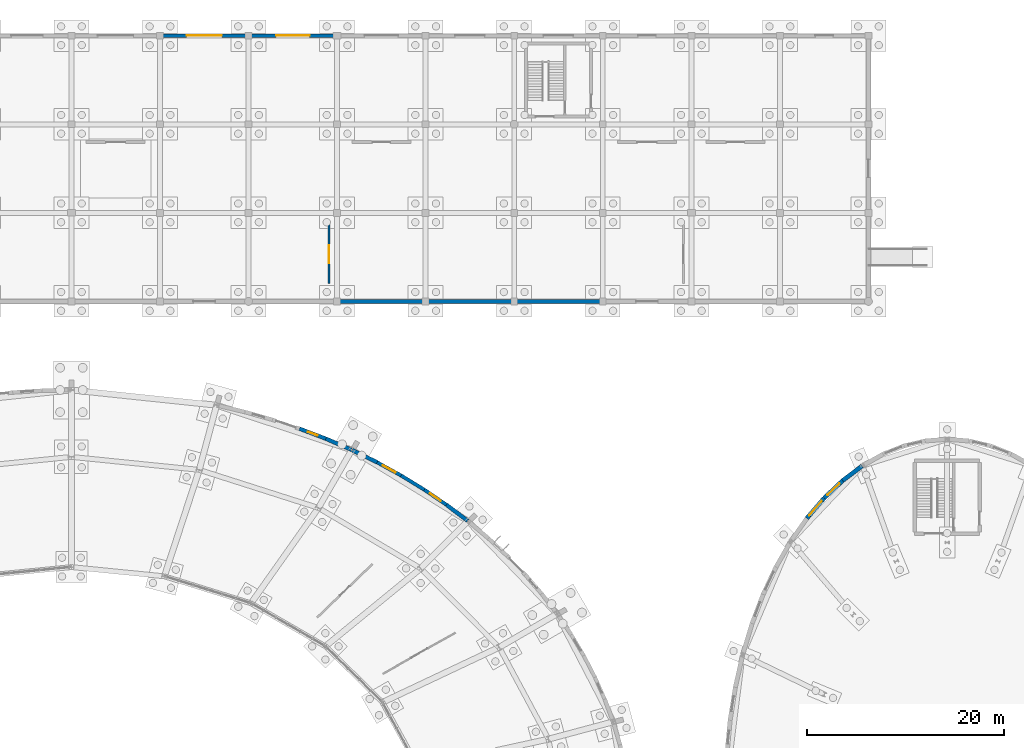
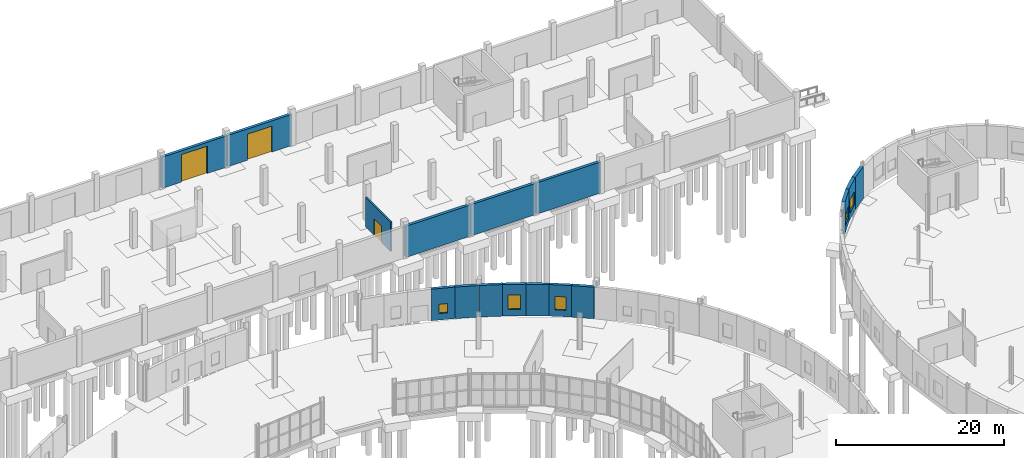
# One storey, part 99 of 118: 16 walls, 5 windows, 3 doors, 8 openings.
"""IFC4 building model written with IfcOpenShell, lengths in metres."""

from ifc_helpers import new_model, si_unit, direction, frame, frame_2d, origin, place, context, subcontext, project, spatial, rectangle, extrude, material, layer, layer_set, type_object, element, fill, save


model = new_model("IFC4")

# Units and contexts
model_context = context("Model", 3, precision=1e-05, world=origin(), true_north=direction((0.0, 1.0)))
body_context = subcontext(model_context, "Body", "Model", "MODEL_VIEW")
ifc_project = project(units=[si_unit("LENGTHUNIT", "METRE"), si_unit("AREAUNIT", "SQUARE_METRE"), si_unit("VOLUMEUNIT", "CUBIC_METRE"), si_unit("PLANEANGLEUNIT", "RADIAN"), si_unit("MASSUNIT", "GRAM", prefix="KILO")], contexts=[model_context])

# Site, building, storey
site_placement = place(None, origin())
site = spatial("IfcSite", under=ifc_project, at=site_placement, CompositionType="ELEMENT")
building_placement = place(site_placement, origin())
building = spatial("IfcBuilding", under=site, at=building_placement, Name="Kildeholm Park Wholesale Market", CompositionType="ELEMENT")
storey_placement = place(building_placement, origin())
storey = spatial("IfcBuildingStorey", under=building, at=storey_placement, Name="L00", CompositionType="ELEMENT", Elevation=0.0)

# Wall, opening, door
ifc_material_1 = material(Name="Precast concrete C40/50 insulated cold-store envelope wall", Category="concrete")
ifc_layer_1 = layer(ifc_material_1, 0.3798828125)
ifc_layer_set_1 = layer_set([ifc_layer_1], Name="Precast concrete C40/50 insulated cold-store envelope wall")
wall_type_1 = type_object("IfcWallType", Name="Exterior wall W-CS1 380 mm", PredefinedType="SOLIDWALL", material=ifc_layer_set_1)
wall_1_placement = place(storey_placement, frame((108.06005859375, 171.0, 0.0), z_axis=(0.0, 0.0, 1.0), x_axis=(1.0, 0.0, 0.0)))
wall_1 = element("IfcWall", 1, at=wall_1_placement, inside=storey, type_object=wall_type_1, Name="Exterior wall V4N-L00.13 WL-0329", PredefinedType="SOLIDWALL", context=body_context, shape_type="SweptSolid", body=[
    extrude(rectangle(XDim=8.8798828125, YDim=0.3798828125, at=frame_2d((4.43994140625, 0.0))), origin(), (0.0, 0.0, 1.0), 4.550048828125),
])
opening_1_placement = place(wall_1_placement, frame((2.639892578125, 0.0, 0.0)))
opening_1 = element("IfcOpeningElement", 2, at=opening_1_placement, cuts=wall_1, Name="Opening G-DK02", PredefinedType="OPENING", context=body_context, shape_type="SweptSolid", body=[
    extrude(rectangle(XDim=3.60009765625, YDim=4.0, at=frame_2d((1.800048828125, 2.0))), frame((0.0, 0.199951171875, 0.0), z_axis=(0.0, -1.0, 0.0), x_axis=(1.0, 0.0, 0.0)), (0.0, 0.0, 1.0), 0.39990234375),
])
ifc_material_2 = material(Name="Insulated galvanized steel HGV dock roller shutter", Category="steel")
door_type_1 = type_object("IfcDoorType", Name="Exterior gate G-DK02 3600x4000", OperationType="NOTDEFINED", PredefinedType="GATE", material=ifc_material_2)
door_1_placement = place(opening_1_placement, origin())
door_1 = element("IfcDoor", 3, at=door_1_placement, inside=storey, type_object=door_type_1, Name="Door V4N-L00.13 DR-0028 WL-0329", OperationType="ROLLINGUP", OverallHeight=4.0, OverallWidth=3.60009765625, PredefinedType="GATE", context=body_context, shape_type="SweptSolid", body=[
    extrude(rectangle(XDim=3.60009765625, YDim=4.0, at=frame_2d((1.800048828125, 2.0))), frame((0.0, 0.02490234375, 0.0), z_axis=(0.0, -1.0, 0.0), x_axis=(1.0, 0.0, 0.0)), (0.0, 0.0, 1.0), 0.050048828125),
])
fill(opening_1, door_1)

wall_2_placement = place(storey_placement, frame((117.06005859375, 171.0, 0.0), z_axis=(0.0, 0.0, 1.0), x_axis=(1.0, 0.0, 0.0)))
wall_2 = element("IfcWall", 4, at=wall_2_placement, inside=storey, type_object=wall_type_1, Name="Exterior wall V4N-L00.14 WL-0330", PredefinedType="SOLIDWALL", context=body_context, shape_type="SweptSolid", body=[
    extrude(rectangle(XDim=8.8798828125, YDim=0.3798828125, at=frame_2d((4.43994140625, 0.0))), origin(), (0.0, 0.0, 1.0), 4.550048828125),
])
opening_2_placement = place(wall_2_placement, frame((2.739990234375, 0.0, 0.0)))
opening_2 = element("IfcOpeningElement", 5, at=opening_2_placement, cuts=wall_2, Name="Opening G-DK01", PredefinedType="OPENING", context=body_context, shape_type="SweptSolid", body=[
    extrude(rectangle(XDim=3.39990234375, YDim=3.800048828125, at=frame_2d((1.699951171875, 1.89990234375))), frame((0.0, 0.199951171875, 0.0), z_axis=(0.0, -1.0, 0.0), x_axis=(1.0, 0.0, 0.0)), (0.0, 0.0, 1.0), 0.39990234375),
])
ifc_material_3 = material(Name="Insulated galvanized steel sectional dock shutter", Category="steel")
door_type_2 = type_object("IfcDoorType", Name="Exterior gate G-DK01 3400x3800", OperationType="NOTDEFINED", PredefinedType="GATE", material=ifc_material_3)
door_2_placement = place(opening_2_placement, origin())
door_2 = element("IfcDoor", 6, at=door_2_placement, inside=storey, type_object=door_type_2, Name="Door V4N-L00.14 DR-0029 WL-0330", OperationType="ROLLINGUP", OverallHeight=3.800048828125, OverallWidth=3.39990234375, PredefinedType="GATE", context=body_context, shape_type="SweptSolid", body=[
    extrude(rectangle(XDim=3.39990234375, YDim=3.800048828125, at=frame_2d((1.699951171875, 1.89990234375))), frame((0.0, 0.02490234375, 0.0), z_axis=(0.0, -1.0, 0.0), x_axis=(1.0, 0.0, 0.0)), (0.0, 0.0, 1.0), 0.050048828125),
])
fill(opening_2, door_2)

# Walls
for number, where, z_axis, x_axis, name in (
    (7, (126.06005859375, 144.0, 0.0), (0.0, 0.0, 1.0), (1.0, 0.0, 0.0), "Exterior wall V4S-L00.11 WL-0447"),
    (8, (135.06005859375, 144.0, 0.0), (0.0, 0.0, 1.0), (1.0, 0.0, 0.0), "Exterior wall V4S-L00.12 WL-0448"),
    (9, (144.06005859375, 144.0, 0.0), (0.0, 0.0, 1.0), (1.0, 0.0, 0.0), "Exterior wall V4S-L00.13 WL-0449"),
):
    element("IfcWall", number, at=place(storey_placement, frame(where, z_axis=z_axis, x_axis=x_axis)), inside=storey, type_object=wall_type_1, Name=name, PredefinedType="SOLIDWALL", context=body_context, shape_type="SweptSolid", body=[
        extrude(rectangle(XDim=8.8798828125, YDim=0.3798828125, at=frame_2d((4.43994140625, 0.0))), origin(), (0.0, 0.0, 1.0), 4.550048828125),
    ])

# Wall, opening, window
ifc_material_4 = material(Name="Red Danish clinker brick masonry with Concrete C35/45 backing", Category="masonry")
ifc_layer_2 = layer(ifc_material_4, 0.360107421875)
ifc_layer_set_2 = layer_set([ifc_layer_2], Name="Red Danish clinker brick masonry with Concrete C35/45 backing")
wall_type_2 = type_object("IfcWallType", Name="Exterior wall W-EX1 360 mm", PredefinedType="SOLIDWALL", material=ifc_layer_set_2)
wall_3_placement = place(storey_placement, frame((137.12109375, 123.326904296875, 0.0), z_axis=(0.0, 0.0, 1.0), x_axis=(-0.826422172457, 0.563050968271, 0.0)))
wall_3 = element("IfcWall", 10, at=wall_3_placement, inside=storey, type_object=wall_type_2, Name="Produce ring outer wall 4.2 WL-0029", PredefinedType="SOLIDWALL", context=body_context, shape_type="SweptSolid", body=[
    extrude(rectangle(XDim=2.72998046875, YDim=0.360107421875, at=frame_2d((1.364990234375, 0.0))), origin(), (0.0, 0.0, 1.0), 4.60009765625),
])
opening_3_placement = place(wall_3_placement, frame((0.715087890625, 0.0, 0.949951171875)))
opening_3 = element("IfcOpeningElement", 11, at=opening_3_placement, cuts=wall_3, Name="Opening WN-20", PredefinedType="OPENING", context=body_context, shape_type="SweptSolid", body=[
    extrude(rectangle(XDim=1.300048828125, YDim=1.949951171875, at=frame_2d((0.64990234375, 0.97509765625))), frame((0.0, 0.18994140625, 0.0), z_axis=(0.0, -1.0, 0.0), x_axis=(1.0, 0.0, 0.0)), (0.0, 0.0, 1.0), 0.380126953125),
])
ifc_material_5 = material(Name="Thermally broken aluminium and triple-glazed low-E glass", Category="aluminium")
window_type_1 = type_object("IfcWindowType", Name="Window WN-20 1300x1950", PartitioningType="DOUBLE_PANEL_VERTICAL", PredefinedType="WINDOW", material=ifc_material_5)
window_1_placement = place(opening_3_placement, origin())
window_1 = element("IfcWindow", 12, at=window_1_placement, inside=storey, type_object=window_type_1, Name="Produce hall arcade window 4.1 WIN-0007", OverallHeight=1.949951171875, OverallWidth=1.300048828125, PartitioningType="SINGLE_PANEL", PredefinedType="WINDOW", context=body_context, shape_type="SweptSolid", body=[
    extrude(rectangle(XDim=1.300048828125, YDim=1.949951171875, at=frame_2d((0.64990234375, 0.97509765625))), frame((0.0, 0.030029296875, 0.0), z_axis=(0.0, -1.0, 0.0), x_axis=(1.0, 0.0, 0.0)), (0.0, 0.0, 1.0), 0.06005859375),
])
fill(opening_3, window_1)

# Wall
wall_4_placement = place(storey_placement, frame((134.864990234375, 124.864013671875, 0.0), z_axis=(0.0, 0.0, 1.0), x_axis=(-0.852743581926, 0.522329765075, 0.0)))
element("IfcWall", 13, at=wall_4_placement, inside=storey, type_object=wall_type_2, Name="Produce ring outer wall 4.3 WL-0030", PredefinedType="SOLIDWALL", context=body_context, shape_type="SweptSolid", body=[
    extrude(rectangle(XDim=2.760498046875, YDim=0.360107421875, at=frame_2d((1.38037109375, 0.0))), origin(), (0.0, 0.0, 1.0), 4.60009765625),
])

# Wall, opening, window
wall_5_placement = place(storey_placement, frame((132.510986328125, 126.305908203125, 0.0), z_axis=(0.0, 0.0, 1.0), x_axis=(-0.876631400762, 0.481162537193, 0.0)))
wall_5 = element("IfcWall", 14, at=wall_5_placement, inside=storey, type_object=wall_type_2, Name="Produce ring outer wall 4.4 WL-0031", PredefinedType="SOLIDWALL", context=body_context, shape_type="SweptSolid", body=[
    extrude(rectangle(XDim=2.7890625, YDim=0.360107421875, at=frame_2d((1.39453125, 0.0))), origin(), (0.0, 0.0, 1.0), 4.60009765625),
])
opening_4_placement = place(wall_5_placement, frame((0.64501953125, 0.0, 0.949951171875)))
opening_4 = element("IfcOpeningElement", 15, at=opening_4_placement, cuts=wall_5, Name="Opening WN-01", PredefinedType="OPENING", context=body_context, shape_type="SweptSolid", body=[
    extrude(rectangle(XDim=1.5, YDim=2.10009765625, at=frame_2d((0.75, 1.050048828125))), frame((0.0, 0.18994140625, 0.0), z_axis=(0.0, -1.0, 0.0), x_axis=(1.0, 0.0, 0.0)), (0.0, 0.0, 1.0), 0.380126953125),
])
window_type_2 = type_object("IfcWindowType", Name="Window WN-01 1500x2100", PartitioningType="DOUBLE_PANEL_VERTICAL", PredefinedType="WINDOW", material=ifc_material_5)
window_2_placement = place(opening_4_placement, origin())
window_2 = element("IfcWindow", 16, at=window_2_placement, inside=storey, type_object=window_type_2, Name="Produce hall arcade window 4.3 WIN-0008", OverallHeight=2.10009765625, OverallWidth=1.5, PartitioningType="SINGLE_PANEL", PredefinedType="WINDOW", context=body_context, shape_type="SweptSolid", body=[
    extrude(rectangle(XDim=1.5, YDim=2.10009765625, at=frame_2d((0.75, 1.050048828125))), frame((0.0, 0.030029296875, 0.0), z_axis=(0.0, -1.0, 0.0), x_axis=(1.0, 0.0, 0.0)), (0.0, 0.0, 1.0), 0.06005859375),
])
fill(opening_4, window_2)

# Walls
ifc_material_6 = material(Name="Bornholm granite stone plinth and Concrete C35/45 wall", Category="masonry")
ifc_layer_3 = layer(ifc_material_6, 0.39990234375)
ifc_layer_set_3 = layer_set([ifc_layer_3], Name="Bornholm granite stone plinth and Concrete C35/45 wall")
wall_type_3 = type_object("IfcWallType", Name="Exterior wall W-EX2 400 mm", PredefinedType="SOLIDWALL", material=ifc_layer_set_3)
wall_6_placement = place(storey_placement, frame((139.27490234375, 121.697998046875, 0.0), z_axis=(0.0, 0.0, 1.0), x_axis=(-0.797585068324, 0.603206481054, 0.0)))
element("IfcWall", 17, at=wall_6_placement, inside=storey, type_object=wall_type_3, Name="Produce ring outer wall 4.1 WL-0028", PredefinedType="SOLIDWALL", context=body_context, shape_type="SweptSolid", body=[
    extrude(rectangle(XDim=2.700439453125, YDim=0.39990234375, at=frame_2d((1.35009765625, 0.0))), origin(), (0.0, 0.0, 1.0), 4.60009765625),
])
wall_7_placement = place(storey_placement, frame((130.06591796875, 127.64794921875, 0.0), z_axis=(0.0, 0.0, 1.0), x_axis=(-0.898004688797, 0.439985884886, 0.0)))
element("IfcWall", 18, at=wall_7_placement, inside=storey, type_object=wall_type_3, Name="Produce ring outer wall 4.5 WL-0032", PredefinedType="SOLIDWALL", context=body_context, shape_type="SweptSolid", body=[
    extrude(rectangle(XDim=2.81591796875, YDim=0.39990234375, at=frame_2d((1.407958984375, 0.0))), origin(), (0.0, 0.0, 1.0), 4.60009765625),
])
wall_8_placement = place(storey_placement, frame((127.464111328125, 128.9208984375, 0.0), z_axis=(0.0, 0.0, 1.0), x_axis=(-0.917744542698, 0.397171190229, 0.0)))
element("IfcWall", 19, at=wall_8_placement, inside=storey, type_object=wall_type_3, Name="Produce ring outer wall 5.1 WL-0037", PredefinedType="SOLIDWALL", context=body_context, shape_type="SweptSolid", body=[
    extrude(rectangle(XDim=2.843017578125, YDim=0.39990234375, at=frame_2d((1.42138671875, 0.0))), origin(), (0.0, 0.0, 1.0), 4.60009765625),
])
ifc_material_7 = material(Name="Insulated clinker brick and glazed ceramic mosaic facade wall", Category="masonry")
ifc_layer_4 = layer(ifc_material_7, 0.43994140625)
ifc_layer_set_4 = layer_set([ifc_layer_4], Name="Insulated clinker brick and glazed ceramic mosaic facade wall")
wall_type_4 = type_object("IfcWallType", Name="Exterior wall W-EX3 440 mm", PredefinedType="SOLIDWALL", material=ifc_layer_set_4)
wall_9_placement = place(storey_placement, frame((179.35888671875, 127.278076171875, 0.0), z_axis=(0.0, 0.0, 1.0), x_axis=(-0.800544553706, -0.599273241128, 0.0)))
element("IfcWall", 20, at=wall_9_placement, inside=storey, type_object=wall_type_4, Name="Oval hall ground wall 6.1 WL-0237", PredefinedType="SOLIDWALL", context=body_context, shape_type="SweptSolid", body=[
    extrude(rectangle(XDim=2.473388671875, YDim=0.43994140625, at=frame_2d((1.23681640625, 0.0))), origin(), (0.0, 0.0, 1.0), 4.699951171875),
])

# Wall, opening, window
wall_10_placement = place(storey_placement, frame((177.37890625, 125.7958984375, 0.0), z_axis=(0.0, 0.0, 1.0), x_axis=(-0.726185715467, -0.687498586654, 0.0)))
wall_10 = element("IfcWall", 21, at=wall_10_placement, inside=storey, type_object=wall_type_4, Name="Oval hall ground wall 6.2 WL-0238", PredefinedType="SOLIDWALL", context=body_context, shape_type="SweptSolid", body=[
    extrude(rectangle(XDim=2.58740234375, YDim=0.43994140625, at=frame_2d((1.293701171875, 0.0))), origin(), (0.0, 0.0, 1.0), 4.699951171875),
])
opening_5_placement = place(wall_10_placement, frame((0.444091796875, 0.0, 0.949951171875)))
opening_5 = element("IfcOpeningElement", 22, at=opening_5_placement, cuts=wall_10, Name="Opening WN-21", PredefinedType="OPENING", context=body_context, shape_type="SweptSolid", body=[
    extrude(rectangle(XDim=1.699951171875, YDim=1.949951171875, at=frame_2d((0.85009765625, 0.97509765625))), frame((0.0, 0.22998046875, 0.0), z_axis=(0.0, -1.0, 0.0), x_axis=(1.0, 0.0, 0.0)), (0.0, 0.0, 1.0), 0.4599609375),
])
window_type_3 = type_object("IfcWindowType", Name="Window WN-21 1700x1950", PartitioningType="DOUBLE_PANEL_VERTICAL", PredefinedType="WINDOW", material=ifc_material_5)
window_3_placement = place(opening_5_placement, origin())
window_3 = element("IfcWindow", 23, at=window_3_placement, inside=storey, type_object=window_type_3, Name="Oval hall ground window 6.1 WIN-0058", OverallHeight=1.949951171875, OverallWidth=1.699951171875, PartitioningType="SINGLE_PANEL", PredefinedType="WINDOW", context=body_context, shape_type="SweptSolid", body=[
    extrude(rectangle(XDim=1.699951171875, YDim=1.949951171875, at=frame_2d((0.85009765625, 0.97509765625))), frame((0.0, 0.030029296875, 0.0), z_axis=(0.0, -1.0, 0.0), x_axis=(1.0, 0.0, 0.0)), (0.0, 0.0, 1.0), 0.06005859375),
])
fill(opening_5, window_3)

wall_11_placement = place(storey_placement, frame((175.5, 124.01708984375, 0.0), z_axis=(0.0, 0.0, 1.0), x_axis=(-0.650130504047, -0.759822563305, 0.0)))
wall_11 = element("IfcWall", 24, at=wall_11_placement, inside=storey, type_object=wall_type_4, Name="Oval hall ground wall 6.3 WL-0239", PredefinedType="SOLIDWALL", context=body_context, shape_type="SweptSolid", body=[
    extrude(rectangle(XDim=2.708740234375, YDim=0.43994140625, at=frame_2d((1.3544921875, 0.0))), origin(), (0.0, 0.0, 1.0), 4.699951171875),
])
opening_6_placement = place(wall_11_placement, frame((0.37890625, 0.0, 0.949951171875)))
opening_6 = element("IfcOpeningElement", 25, at=opening_6_placement, cuts=wall_11, Name="Opening WN-22", PredefinedType="OPENING", context=body_context, shape_type="SweptSolid", body=[
    extrude(rectangle(XDim=1.949951171875, YDim=1.64990234375, at=frame_2d((0.97509765625, 0.824951171875))), frame((0.0, 0.22998046875, 0.0), z_axis=(0.0, -1.0, 0.0), x_axis=(1.0, 0.0, 0.0)), (0.0, 0.0, 1.0), 0.4599609375),
])
window_type_4 = type_object("IfcWindowType", Name="Window WN-22 1950x1650", PartitioningType="DOUBLE_PANEL_VERTICAL", PredefinedType="WINDOW", material=ifc_material_5)
window_4_placement = place(opening_6_placement, origin())
window_4 = element("IfcWindow", 26, at=window_4_placement, inside=storey, type_object=window_type_4, Name="Oval hall ground window 6.2 WIN-0059", OverallHeight=1.64990234375, OverallWidth=1.949951171875, PartitioningType="SINGLE_PANEL", PredefinedType="WINDOW", context=body_context, shape_type="SweptSolid", body=[
    extrude(rectangle(XDim=1.949951171875, YDim=1.64990234375, at=frame_2d((0.97509765625, 0.824951171875))), frame((0.0, 0.030029296875, 0.0), z_axis=(0.0, -1.0, 0.0), x_axis=(1.0, 0.0, 0.0)), (0.0, 0.0, 1.0), 0.06005859375),
])
fill(opening_6, window_4)

ifc_material_8 = material(Name="Bornholm granite and ceramic-banded hall facade wall", Category="masonry")
ifc_layer_5 = layer(ifc_material_8, 0.389892578125)
ifc_layer_set_5 = layer_set([ifc_layer_5], Name="Bornholm granite and ceramic-banded hall facade wall")
wall_type_5 = type_object("IfcWallType", Name="Exterior wall W-EX5 390 mm", PredefinedType="SOLIDWALL", material=ifc_layer_set_5)
wall_12_placement = place(storey_placement, frame((124.85498046875, 130.050048828125, 0.0), z_axis=(0.0, 0.0, 1.0), x_axis=(-0.934663038469, 0.355534814779, 0.0)))
wall_12 = element("IfcWall", 27, at=wall_12_placement, inside=storey, type_object=wall_type_5, Name="Produce ring outer wall 5.2 WL-0038", PredefinedType="SOLIDWALL", context=body_context, shape_type="SweptSolid", body=[
    extrude(rectangle(XDim=2.8662109375, YDim=0.389892578125, at=frame_2d((1.43310546875, 0.0))), origin(), (0.0, 0.0, 1.0), 4.60009765625),
])
opening_7_placement = place(wall_12_placement, frame((0.907958984375, 0.0, 0.949951171875)))
opening_7 = element("IfcOpeningElement", 28, at=opening_7_placement, cuts=wall_12, Name="Opening WN-26", PredefinedType="OPENING", context=body_context, shape_type="SweptSolid", body=[
    extrude(rectangle(XDim=1.050048828125, YDim=1.35009765625, at=frame_2d((0.52490234375, 0.675048828125))), frame((0.0, 0.204833984375, 0.0), z_axis=(0.0, -1.0, 0.0), x_axis=(1.0, 0.0, 0.0)), (0.0, 0.0, 1.0), 0.409912109375),
])
window_type_5 = type_object("IfcWindowType", Name="Window WN-26 1050x1350", PartitioningType="SINGLE_PANEL", PredefinedType="WINDOW", material=ifc_material_5)
window_5_placement = place(opening_7_placement, origin())
window_5 = element("IfcWindow", 29, at=window_5_placement, inside=storey, type_object=window_type_5, Name="Produce hall arcade window 5.1 WIN-0009", OverallHeight=1.35009765625, OverallWidth=1.050048828125, PartitioningType="SINGLE_PANEL", PredefinedType="WINDOW", context=body_context, shape_type="SweptSolid", body=[
    extrude(rectangle(XDim=1.050048828125, YDim=1.35009765625, at=frame_2d((0.52490234375, 0.675048828125))), frame((0.0, 0.030029296875, 0.0), z_axis=(0.0, -1.0, 0.0), x_axis=(1.0, 0.0, 0.0)), (0.0, 0.0, 1.0), 0.06005859375),
])
fill(opening_7, window_5)

# Wall, opening, door
ifc_material_9 = material(Name="Masonry cold-corridor buffer wall", Category="masonry")
ifc_layer_6 = layer(ifc_material_9, 0.205078125)
ifc_layer_set_6 = layer_set([ifc_layer_6], Name="Masonry cold-corridor buffer wall")
wall_type_6 = type_object("IfcWallType", Name="Partition W-PT16 205 mm", PredefinedType="PARTITIONING", material=ifc_layer_set_6)
wall_13_placement = place(storey_placement, frame((125.199951171875, 145.800048828125, 0.0), z_axis=(0.0, 0.0, 1.0), x_axis=(0.0, 1.0, 0.0)))
wall_13 = element("IfcWall", 30, at=wall_13_placement, inside=storey, type_object=wall_type_6, Name="Interior partition W-V4-L00-CSD02 WL-0978", PredefinedType="PARTITIONING", context=body_context, shape_type="SweptSolid", body=[
    extrude(rectangle(XDim=6.0, YDim=0.205078125, at=frame_2d((3.0, 0.0))), origin(), (0.0, 0.0, 1.0), 4.300048828125),
])
opening_8_placement = place(wall_13_placement, frame((2.10009765625, 0.0, 0.0)))
opening_8 = element("IfcOpeningElement", 31, at=opening_8_placement, cuts=wall_13, Name="Opening D-CS01", PredefinedType="OPENING", context=body_context, shape_type="SweptSolid", body=[
    extrude(rectangle(XDim=1.800048828125, YDim=2.39990234375, at=frame_2d((0.89990234375, 1.199951171875))), frame((0.0, 0.112548828125, 0.0), z_axis=(0.0, -1.0, 0.0), x_axis=(1.0, 0.0, 0.0)), (0.0, 0.0, 1.0), 0.22509765625),
])
ifc_material_10 = material(Name="Insulated stainless-steel sliding cold-store door", Category="steel")
door_type_3 = type_object("IfcDoorType", Name="Interior door D-CS01 1800x2400", OperationType="NOTDEFINED", PredefinedType="DOOR", material=ifc_material_10)
door_3_placement = place(opening_8_placement, origin())
door_3 = element("IfcDoor", 32, at=door_3_placement, inside=storey, type_object=door_type_3, Name="Interior door V4-L00-CSD02 DR-0253 WL-0978", OperationType="SLIDING_TO_LEFT", OverallHeight=2.39990234375, OverallWidth=1.800048828125, PredefinedType="DOOR", context=body_context, shape_type="SweptSolid", body=[
    extrude(rectangle(XDim=1.800048828125, YDim=2.39990234375, at=frame_2d((0.89990234375, 1.199951171875))), frame((0.0, 0.02490234375, 0.0), z_axis=(0.0, -1.0, 0.0), x_axis=(1.0, 0.0, 0.0)), (0.0, 0.0, 1.0), 0.050048828125),
])
fill(opening_8, door_3)

save(model, "model.ifc")
